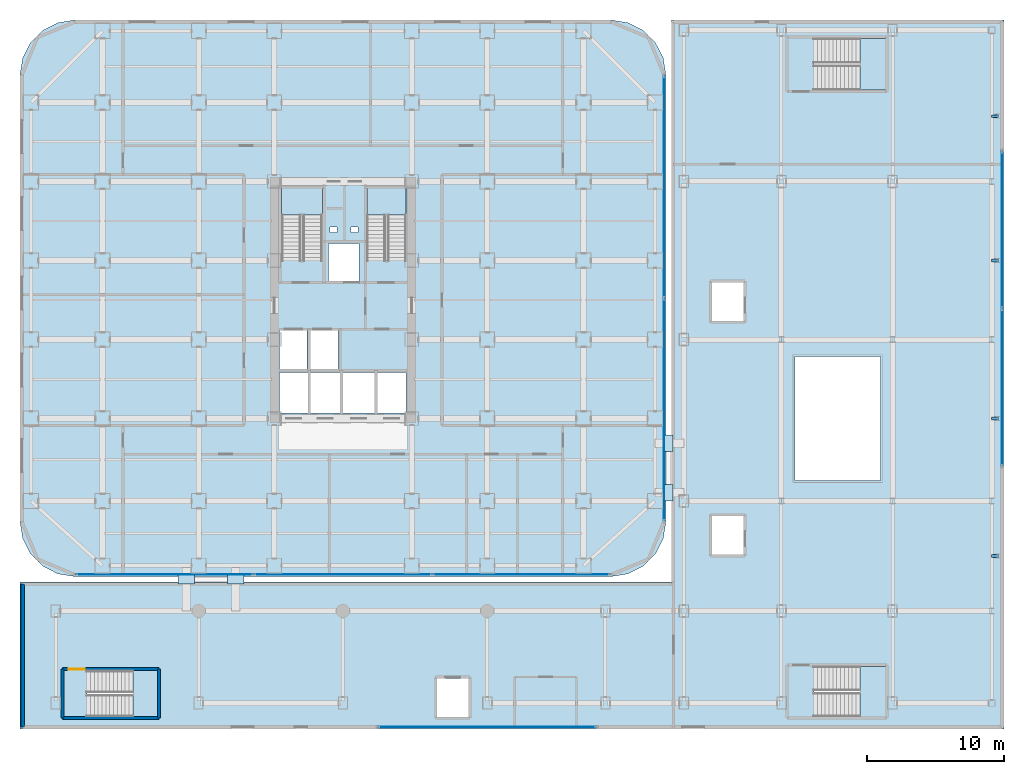
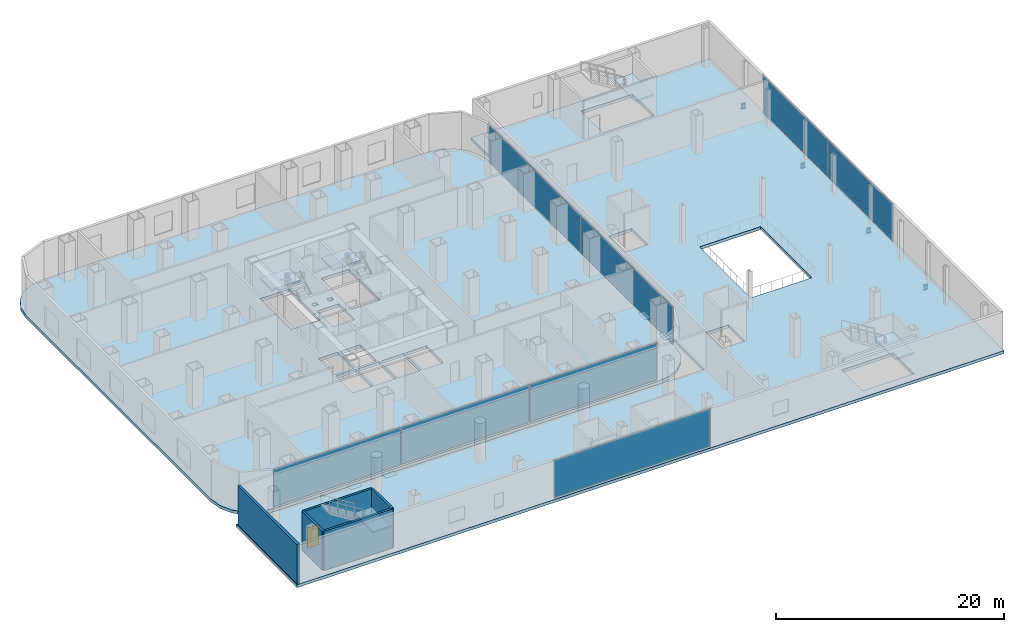
# One storey, part 18 of 26: 12 plates, 7 slabs, 5 walls, 4 beams, 1 door, 1 opening, 9 elements without a shape of their own.
"""IFC4 building model written with IfcOpenShell, lengths in metres."""

from ifc_helpers import new_model, si_unit, direction, frame, frame_2d, origin, origin_2d, place, context, subcontext, project, spatial, polyline, rectangle, i_section, outline, extrude, source, transform, mapped, material, layer, layer_set, material_profile, profile_set, type_object, element, fill, aggregate, save


model = new_model("IFC4")

# Units and contexts
model_context = context("Model", 3, precision=1e-05, world=origin(), true_north=direction((0.0, 1.0)))
body_context = subcontext(model_context, "Body", "Model", "MODEL_VIEW")
ifc_project = project(units=[si_unit("LENGTHUNIT", "METRE"), si_unit("AREAUNIT", "SQUARE_METRE"), si_unit("VOLUMEUNIT", "CUBIC_METRE"), si_unit("PLANEANGLEUNIT", "RADIAN"), si_unit("MASSUNIT", "GRAM", prefix="KILO")], contexts=[model_context])

# Site, building, storey
site_placement = place(None, origin())
site = spatial("IfcSite", under=ifc_project, at=site_placement, CompositionType="ELEMENT")
building_placement = place(site_placement, origin())
building = spatial("IfcBuilding", under=site, at=building_placement, Name="Kolveth Station Tower", CompositionType="ELEMENT")
storey_placement = place(building_placement, frame((0.0, 0.0, 4.5)))
storey = spatial("IfcBuildingStorey", under=building, at=storey_placement, Name="L01", CompositionType="ELEMENT", Elevation=4.5)

# Beams
ifc_material_1 = material(Name="Steel S355", Category="steel")
ifc_material_profile = material_profile(ifc_material_1, i_section(OverallWidth=0.2099609375, OverallDepth=0.537109375, WebThickness=0.010986328125, FlangeThickness=0.017333984375, at=origin_2d()), Name="W530x101")
ifc_profile_set = profile_set([ifc_material_profile], Name="Steel S355")
beam_type = type_object("IfcBeamType", Name="Beam_B6", PredefinedType="BEAM", material=ifc_profile_set)
shared_shape_1 = source(origin(), body_context, "Body", "SweptSolid", [
    extrude(i_section(OverallWidth=0.2099609375, OverallDepth=0.537109375, WebThickness=0.010986328125, FlangeThickness=0.017333984375, at=origin_2d()), origin(), (0.0, 0.0, 1.0), 0.449951171875),
])
for number, where, z_axis, x_axis, name in (
    (1, (70.699951171875, 1.5, -0.58837890625), (1.0, 0.0, 0.0), (0.0, 1.0, 0.0), "L01 Pilaster Tie Beam SBM-L01-SPL-1"),
    (2, (70.699951171875, 11.5, -0.58837890625), (1.0, 0.0, 0.0), (0.0, 1.0, 0.0), "L01 Pilaster Tie Beam SBM-L01-SPL-2"),
    (3, (70.699951171875, 23.0, -0.58837890625), (1.0, 0.0, 0.0), (0.0, 1.0, 0.0), "L01 Pilaster Tie Beam SBM-L01-SPL-3"),
    (4, (70.699951171875, 33.5, -0.58837890625), (1.0, 0.0, 0.0), (0.0, 1.0, 0.0), "L01 Pilaster Tie Beam SBM-L01-SPL-4"),
):
    element("IfcBeam", number, at=place(storey_placement, frame(where, z_axis=z_axis, x_axis=x_axis)), inside=storey, type_object=beam_type, Name=name, PredefinedType="BEAM", context=body_context, shape_type="MappedRepresentation", body=[
        mapped(shared_shape_1, transform((0.0, 0.0, 0.0), x_axis=(1.0, 0.0, 0.0), y_axis=(0.0, 1.0, 0.0), z_axis=(0.0, 0.0, 1.0), scale=1.0)),
    ])

# Slabs
ifc_material_2 = material(Name="Concrete C50/60", Category="concrete")
ifc_layer_1 = layer(ifc_material_2, 0.320068359375)
ifc_layer_set_1 = layer_set([ifc_layer_1], Name="Concrete C50/60")
slab_type_1 = type_object("IfcSlabType", Name="Slab_SF-320", PredefinedType="FLOOR", material=ifc_layer_set_1)
slab_1_placement = place(storey_placement, frame((0.0, 0.0, -0.320068359375)))
element("IfcSlab", 5, at=slab_1_placement, inside=storey, type_object=slab_type_1, Name="L01 Tower Structural Floor Slab", PredefinedType="FLOOR", context=body_context, shape_type="SweptSolid", body=[
    extrude(outline(polyline([(43.0, 0.0), (44.236083984375, 0.19580078125), (45.35107421875, 0.763916015625), (46.236083984375, 1.64892578125), (46.80419921875, 2.763916015625), (47.0, 4.0), (47.0, 36.5), (46.80419921875, 37.736083984375), (46.236083984375, 38.85107421875), (45.35107421875, 39.736083984375), (44.236083984375, 40.30419921875), (43.0, 40.5), (4.0, 40.5), (2.763916015625, 40.30419921875), (1.64892578125, 39.736083984375), (0.763916015625, 38.85107421875), (0.19580078125, 37.736083984375), (0.0, 36.5), (0.0, 4.0), (0.19580078125, 2.763916015625), (0.763916015625, 1.64892578125), (1.64892578125, 0.763916015625), (2.763916015625, 0.19580078125), (4.0, 0.0), (43.0, 0.0)]), holes=[polyline([(19.0400390625, 22.985107421875), (22.0, 22.985107421875), (22.0, 28.39990234375), (19.0400390625, 28.39990234375), (19.0400390625, 22.985107421875)]), polyline([(25.239990234375, 22.985107421875), (28.10009765625, 22.985107421875), (28.10009765625, 28.39990234375), (25.239990234375, 28.39990234375), (25.239990234375, 22.985107421875)]), polyline([(18.89990234375, 15.10009765625), (20.89990234375, 15.10009765625), (20.89990234375, 17.89990234375), (18.89990234375, 17.89990234375), (18.89990234375, 15.10009765625)]), polyline([(21.14990234375, 15.10009765625), (23.14990234375, 15.10009765625), (23.14990234375, 17.89990234375), (21.14990234375, 17.89990234375), (21.14990234375, 15.10009765625)]), polyline([(22.449951171875, 21.5), (24.64990234375, 21.5), (24.64990234375, 24.25), (22.449951171875, 24.25), (22.449951171875, 21.5)]), polyline([(18.89990234375, 11.89990234375), (20.949951171875, 11.89990234375), (20.949951171875, 14.85009765625), (18.89990234375, 14.85009765625), (18.89990234375, 11.89990234375)]), polyline([(21.14990234375, 11.89990234375), (23.300048828125, 11.89990234375), (23.300048828125, 14.85009765625), (21.14990234375, 14.85009765625), (21.14990234375, 11.89990234375)]), polyline([(23.5, 11.89990234375), (25.800048828125, 11.89990234375), (25.800048828125, 14.85009765625), (23.5, 14.85009765625), (23.5, 11.89990234375)]), polyline([(26.0, 11.89990234375), (28.10009765625, 11.89990234375), (28.10009765625, 14.85009765625), (26.0, 14.85009765625), (26.0, 11.89990234375)]), polyline([(22.550048828125, 25.050048828125), (23.050048828125, 25.050048828125), (23.050048828125, 25.449951171875), (22.550048828125, 25.449951171875), (22.550048828125, 25.050048828125)]), polyline([(24.10009765625, 25.050048828125), (24.60009765625, 25.050048828125), (24.60009765625, 25.449951171875), (24.10009765625, 25.449951171875), (24.10009765625, 25.050048828125)])]), origin(), (0.0, 0.0, 1.0), 0.320068359375),
])
slab_2_placement = place(storey_placement, frame((0.0, 0.0, -0.320068359375)))
element("IfcSlab", 6, at=slab_2_placement, inside=storey, type_object=slab_type_1, Name="L01 Intermodal Station Floor Slab", PredefinedType="FLOOR", context=body_context, shape_type="SweptSolid", body=[
    extrude(outline(polyline([(0.0, -11.10009765625), (71.60009765625, -11.10009765625), (71.60009765625, 40.5), (47.39990234375, 40.5), (47.39990234375, -0.39990234375), (0.0, -0.39990234375), (0.0, -11.10009765625)]), holes=[polyline([(57.784912109375, 35.39990234375), (63.0, 35.39990234375), (63.0, 39.159912109375), (57.784912109375, 39.159912109375), (57.784912109375, 35.39990234375)]), polyline([(57.784912109375, -10.199951171875), (63.0, -10.199951171875), (63.0, -6.5400390625), (57.784912109375, -6.5400390625), (57.784912109375, -10.199951171875)]), polyline([(4.885009765625, -10.199951171875), (10.0, -10.199951171875), (10.0, -6.840087890625), (4.885009765625, -6.840087890625), (4.885009765625, -10.199951171875)]), polyline([(50.35009765625, 1.60009765625), (52.64990234375, 1.60009765625), (52.64990234375, 4.39990234375), (50.35009765625, 4.39990234375), (50.35009765625, 1.60009765625)]), polyline([(50.35009765625, 18.60009765625), (52.64990234375, 18.60009765625), (52.64990234375, 21.39990234375), (50.35009765625, 21.39990234375), (50.35009765625, 18.60009765625)]), polyline([(30.35009765625, -10.199951171875), (32.64990234375, -10.199951171875), (32.64990234375, -7.39990234375), (30.35009765625, -7.39990234375), (30.35009765625, -10.199951171875)]), polyline([(56.39990234375, 7.0), (62.60009765625, 7.0), (62.60009765625, 16.0), (56.39990234375, 16.0), (56.39990234375, 7.0)])]), origin(), (0.0, 0.0, 1.0), 0.320068359375),
])

# Stair, slab
ifc_material_3 = material(Name="Concrete C40/50", Category="concrete")
stair_type_1 = type_object("IfcStairType", Name="Stair_ST2", PredefinedType="HALF_TURN_STAIR", material=ifc_material_3)
stair_1_placement = place(storey_placement, origin())
stair_1 = element("IfcStair", 7, at=stair_1_placement, inside=storey, type_object=stair_type_1, Name="L01 Tower Exit Stair ST2", PredefinedType="HALF_TURN_STAIR")
ifc_layer_2 = layer(ifc_material_3, 0.18994140625)
ifc_layer_set_2 = layer_set([ifc_layer_2], Name="Concrete C40/50")
slab_type_2 = type_object("IfcSlabType", Name="Slab_SL-190", PredefinedType="LANDING", material=ifc_layer_set_2)
slab_3_placement = place(storey_placement, frame((0.0, 0.0, 2.050048828125)))
slab_3 = element("IfcSlab", 8, at=slab_3_placement, type_object=slab_type_2, Name="ST2 landing 1", PredefinedType="LANDING", context=body_context, shape_type="SweptSolid", body=[
    extrude(outline(polyline([(28.10009765625, 26.31005859375), (28.10009765625, 28.39990234375), (25.239990234375, 28.39990234375), (25.239990234375, 26.31005859375), (28.10009765625, 26.31005859375)])), origin(), (0.0, 0.0, 1.0), 0.199951171875),
])
aggregate(stair_1, [slab_3])

stair_type_2 = type_object("IfcStairType", Name="Stair_ST5", PredefinedType="HALF_TURN_STAIR", material=ifc_material_3)
stair_2_placement = place(storey_placement, origin())
stair_2 = element("IfcStair", 9, at=stair_2_placement, inside=storey, type_object=stair_type_2, Name="L01 Station West Concourse Stair ST5", PredefinedType="HALF_TURN_STAIR")
slab_4_placement = place(storey_placement, frame((0.0, 0.0, 2.050048828125)))
slab_4 = element("IfcSlab", 10, at=slab_4_placement, type_object=slab_type_2, Name="ST5 landing 1", PredefinedType="LANDING", context=body_context, shape_type="SweptSolid", body=[
    extrude(outline(polyline([(8.2099609375, -10.199951171875), (10.0, -10.199951171875), (10.0, -6.840087890625), (8.2099609375, -6.840087890625), (8.2099609375, -10.199951171875)])), origin(), (0.0, 0.0, 1.0), 0.199951171875),
])
aggregate(stair_2, [slab_4])

stair_type_3 = type_object("IfcStairType", Name="Stair_ST1", PredefinedType="HALF_TURN_STAIR", material=ifc_material_3)
stair_3_placement = place(storey_placement, origin())
stair_3 = element("IfcStair", 11, at=stair_3_placement, inside=storey, type_object=stair_type_3, Name="L01 Tower Exit Stair ST1", PredefinedType="HALF_TURN_STAIR")
ifc_layer_3 = layer(ifc_material_3, 0.205078125)
ifc_layer_set_3 = layer_set([ifc_layer_3], Name="Concrete C40/50")
slab_type_3 = type_object("IfcSlabType", Name="Slab_SL-205", PredefinedType="LANDING", material=ifc_layer_set_3)
slab_5_placement = place(storey_placement, frame((0.0, 0.0, 2.050048828125)))
slab_5 = element("IfcSlab", 12, at=slab_5_placement, type_object=slab_type_3, Name="ST1 landing 1", PredefinedType="LANDING", context=body_context, shape_type="SweptSolid", body=[
    extrude(outline(polyline([(22.0, 26.31005859375), (22.0, 28.39990234375), (19.0400390625, 28.39990234375), (19.0400390625, 26.31005859375), (22.0, 26.31005859375)])), origin(), (0.0, 0.0, 1.0), 0.199951171875),
])
aggregate(stair_3, [slab_5])

stair_type_4 = type_object("IfcStairType", Name="Stair_ST3", PredefinedType="HALF_TURN_STAIR", material=ifc_material_3)
stair_4_placement = place(storey_placement, origin())
stair_4 = element("IfcStair", 13, at=stair_4_placement, inside=storey, type_object=stair_type_4, Name="L01 Station North Exit Stair ST3", PredefinedType="HALF_TURN_STAIR")
slab_6_placement = place(storey_placement, frame((0.0, 0.0, 2.050048828125)))
slab_6 = element("IfcSlab", 14, at=slab_6_placement, type_object=slab_type_3, Name="ST3 landing 1", PredefinedType="LANDING", context=body_context, shape_type="SweptSolid", body=[
    extrude(outline(polyline([(61.110107421875, 35.39990234375), (63.0, 35.39990234375), (63.0, 39.159912109375), (61.110107421875, 39.159912109375), (61.110107421875, 35.39990234375)])), origin(), (0.0, 0.0, 1.0), 0.199951171875),
])
aggregate(stair_4, [slab_6])

stair_type_5 = type_object("IfcStairType", Name="Stair_ST4", PredefinedType="HALF_TURN_STAIR", material=ifc_material_3)
stair_5_placement = place(storey_placement, origin())
stair_5 = element("IfcStair", 15, at=stair_5_placement, inside=storey, type_object=stair_type_5, Name="L01 Station South-East Exit Stair ST4", PredefinedType="HALF_TURN_STAIR")
slab_7_placement = place(storey_placement, frame((0.0, 0.0, 2.050048828125)))
slab_7 = element("IfcSlab", 16, at=slab_7_placement, type_object=slab_type_3, Name="ST4 landing 1", PredefinedType="LANDING", context=body_context, shape_type="SweptSolid", body=[
    extrude(outline(polyline([(61.110107421875, -10.199951171875), (63.0, -10.199951171875), (63.0, -6.5400390625), (61.110107421875, -6.5400390625), (61.110107421875, -10.199951171875)])), origin(), (0.0, 0.0, 1.0), 0.199951171875),
])
aggregate(stair_5, [slab_7])

# Plates
ifc_layer_4 = layer(ifc_material_1, 0.02001953125)
ifc_layer_set_4 = layer_set([ifc_layer_4], Name="Steel S355")
plate_type_1 = type_object("IfcPlateType", Name="Plate_JP1", PredefinedType="USERDEFINED", material=ifc_layer_set_4)
shared_shape_2 = source(origin(), body_context, "Body", "SweptSolid", [
    extrude(rectangle(XDim=1.199951171875, YDim=0.64990234375, at=origin_2d()), origin(), (0.0, 0.0, 1.0), 0.02001953125),
])
for number, where, z_axis, x_axis, name in (
    (17, (12.10009765625, -0.199951171875, -0.324951171875), (0.0, 0.0, 1.0), (1.0, 0.0, 0.0), "L01 Seismic Joint Flush Cover Plate 1.1"),
    (18, (15.699951171875, -0.199951171875, -0.324951171875), (0.0, 0.0, 1.0), (1.0, 0.0, 0.0), "L01 Seismic Joint Flush Cover Plate 1.2"),
    (19, (47.199951171875, 6.10009765625, -0.324951171875), (0.0, 0.0, 1.0), (0.0, 1.0, 0.0), "L01 Seismic Joint Flush Cover Plate 2.1"),
    (20, (47.199951171875, 9.699951171875, -0.324951171875), (0.0, 0.0, 1.0), (0.0, 1.0, 0.0), "L01 Seismic Joint Flush Cover Plate 2.2"),
):
    element("IfcPlate", number, at=place(storey_placement, frame(where, z_axis=z_axis, x_axis=x_axis)), inside=storey, type_object=plate_type_1, Name=name, ObjectType="BASE_PLATE", PredefinedType="USERDEFINED", context=body_context, shape_type="MappedRepresentation", body=[
        mapped(shared_shape_2, transform((0.0, 0.0, 0.0), x_axis=(1.0, 0.0, 0.0), y_axis=(0.0, 1.0, 0.0), z_axis=(0.0, 0.0, 1.0), scale=1.0)),
    ])

# Curtain wall, plates
ifc_material_4 = material(Name="Black anodized aluminium 6063-T6 and clear station glass", Category="aluminium")
ifc_layer_5 = layer(ifc_material_4, 0.239990234375)
ifc_layer_set_5 = layer_set([ifc_layer_5], Name="Black anodized aluminium 6063-T6 and clear station glass")
curtain_wall_type = type_object("IfcCurtainWallType", Name="CurtainWall_CW-ST", PredefinedType="NOTDEFINED", material=ifc_layer_set_5)
curtain_wall_1_placement = place(storey_placement, origin())
curtain_wall_1 = element("IfcCurtainWall", 21, at=curtain_wall_1_placement, inside=storey, type_object=curtain_wall_type, Name="L01 Tower Podium South Storefront Curtain Wall", PredefinedType="NOTDEFINED")
ifc_material_5 = material(Name="Architectural low-E dark glass", Category="glass")
ifc_layer_6 = layer(ifc_material_5, 0.031982421875)
ifc_layer_set_6 = layer_set([ifc_layer_6], Name="Architectural low-E dark glass")
plate_type_2 = type_object("IfcPlateType", Name="Panel_GL-ST", PredefinedType="CURTAIN_PANEL", material=ifc_layer_set_6)
shared_shape_3 = source(origin(), body_context, "Body", "SweptSolid", [
    extrude(rectangle(XDim=12.864013671875, YDim=0.031982421875, at=origin_2d()), origin(), (0.0, 0.0, 1.0), 4.00390625),
])
plate_1_placement = place(storey_placement, frame((10.52490234375, 0.139892578125, 0.088134765625), z_axis=(0.0, 0.0, 1.0), x_axis=(1.0, 0.0, 0.0)))
plate_1 = element("IfcPlate", 22, at=plate_1_placement, type_object=plate_type_2, Name="CW-ST panel 1.1", PredefinedType="CURTAIN_PANEL", context=body_context, shape_type="MappedRepresentation", body=[
    mapped(shared_shape_3, transform((0.0, 0.0, 0.0), x_axis=(1.0, 0.0, 0.0), y_axis=(0.0, 1.0, 0.0), z_axis=(0.0, 0.0, 1.0), scale=1.0)),
])
plate_2_placement = place(storey_placement, frame((36.47509765625, 0.139892578125, 0.088134765625), z_axis=(0.0, 0.0, 1.0), x_axis=(1.0, 0.0, 0.0)))
plate_2 = element("IfcPlate", 23, at=plate_2_placement, type_object=plate_type_2, Name="CW-ST panel 3.1", PredefinedType="CURTAIN_PANEL", context=body_context, shape_type="MappedRepresentation", body=[
    mapped(shared_shape_3, transform((0.0, 0.0, 0.0), x_axis=(1.0, 0.0, 0.0), y_axis=(0.0, 1.0, 0.0), z_axis=(0.0, 0.0, 1.0), scale=1.0)),
])
shared_shape_4 = source(origin(), body_context, "Body", "SweptSolid", [
    extrude(rectangle(XDim=12.9140625, YDim=0.031982421875, at=origin_2d()), origin(), (0.0, 0.0, 1.0), 4.00390625),
])
plate_3_placement = place(storey_placement, frame((23.5, 0.139892578125, 0.088134765625), z_axis=(0.0, 0.0, 1.0), x_axis=(1.0, 0.0, 0.0)))
plate_3 = element("IfcPlate", 24, at=plate_3_placement, type_object=plate_type_2, Name="CW-ST panel 2.1", PredefinedType="CURTAIN_PANEL", context=body_context, shape_type="MappedRepresentation", body=[
    mapped(shared_shape_4, transform((0.0, 0.0, 0.0), x_axis=(1.0, 0.0, 0.0), y_axis=(0.0, 1.0, 0.0), z_axis=(0.0, 0.0, 1.0), scale=1.0)),
])
aggregate(curtain_wall_1, [plate_1, plate_3, plate_2])

curtain_wall_2_placement = place(storey_placement, origin())
curtain_wall_2 = element("IfcCurtainWall", 25, at=curtain_wall_2_placement, inside=storey, type_object=curtain_wall_type, Name="L01 Tower Podium East Storefront Curtain Wall", PredefinedType="NOTDEFINED")
shared_shape_5 = source(origin(), body_context, "Body", "SweptSolid", [
    extrude(rectangle(XDim=16.114013671875, YDim=0.031982421875, at=origin_2d()), origin(), (0.0, 0.0, 1.0), 4.00390625),
])
plate_4_placement = place(storey_placement, frame((46.860107421875, 12.14990234375, 0.088134765625), z_axis=(0.0, 0.0, 1.0), x_axis=(0.0, 1.0, 0.0)))
plate_4 = element("IfcPlate", 26, at=plate_4_placement, type_object=plate_type_2, Name="CW-ST panel 1.1", PredefinedType="CURTAIN_PANEL", context=body_context, shape_type="MappedRepresentation", body=[
    mapped(shared_shape_5, transform((0.0, 0.0, 0.0), x_axis=(1.0, 0.0, 0.0), y_axis=(0.0, 1.0, 0.0), z_axis=(0.0, 0.0, 1.0), scale=1.0)),
])
plate_5_placement = place(storey_placement, frame((46.860107421875, 28.35009765625, 0.088134765625), z_axis=(0.0, 0.0, 1.0), x_axis=(0.0, 1.0, 0.0)))
plate_5 = element("IfcPlate", 27, at=plate_5_placement, type_object=plate_type_2, Name="CW-ST panel 2.1", PredefinedType="CURTAIN_PANEL", context=body_context, shape_type="MappedRepresentation", body=[
    mapped(shared_shape_5, transform((0.0, 0.0, 0.0), x_axis=(1.0, 0.0, 0.0), y_axis=(0.0, 1.0, 0.0), z_axis=(0.0, 0.0, 1.0), scale=1.0)),
])
aggregate(curtain_wall_2, [plate_4, plate_5])

# Curtain wall, plate
curtain_wall_3_placement = place(storey_placement, origin())
curtain_wall_3 = element("IfcCurtainWall", 28, at=curtain_wall_3_placement, inside=storey, type_object=curtain_wall_type, Name="L01 Station South Concourse Curtain Wall", PredefinedType="NOTDEFINED")
shared_shape_6 = source(origin(), body_context, "Body", "SweptSolid", [
    extrude(rectangle(XDim=15.81396484375, YDim=0.031982421875, at=origin_2d()), origin(), (0.0, 0.0, 1.0), 4.00390625),
])
plate_6_placement = place(storey_placement, frame((34.0, -10.949951171875, 0.088134765625), z_axis=(0.0, 0.0, 1.0), x_axis=(1.0, 0.0, 0.0)))
plate_6 = element("IfcPlate", 29, at=plate_6_placement, type_object=plate_type_2, Name="CW-ST panel 1.1", PredefinedType="CURTAIN_PANEL", context=body_context, shape_type="MappedRepresentation", body=[
    mapped(shared_shape_6, transform((0.0, 0.0, 0.0), x_axis=(1.0, 0.0, 0.0), y_axis=(0.0, 1.0, 0.0), z_axis=(0.0, 0.0, 1.0), scale=1.0)),
])
aggregate(curtain_wall_3, [plate_6])

# Curtain wall, plates
curtain_wall_4_placement = place(storey_placement, origin())
curtain_wall_4 = element("IfcCurtainWall", 30, at=curtain_wall_4_placement, inside=storey, type_object=curtain_wall_type, Name="L01 Station East Main Hall Curtain Wall", PredefinedType="NOTDEFINED")
shared_shape_7 = source(origin(), body_context, "Body", "SweptSolid", [
    extrude(rectangle(XDim=11.364013671875, YDim=0.031982421875, at=origin_2d()), origin(), (0.0, 0.0, 1.0), 4.00390625),
])
plate_7_placement = place(storey_placement, frame((71.449951171875, 13.77490234375, 0.088134765625), z_axis=(0.0, 0.0, 1.0), x_axis=(0.0, 1.0, 0.0)))
plate_7 = element("IfcPlate", 31, at=plate_7_placement, type_object=plate_type_2, Name="CW-ST panel 1.1", PredefinedType="CURTAIN_PANEL", context=body_context, shape_type="MappedRepresentation", body=[
    mapped(shared_shape_7, transform((0.0, 0.0, 0.0), x_axis=(1.0, 0.0, 0.0), y_axis=(0.0, 1.0, 0.0), z_axis=(0.0, 0.0, 1.0), scale=1.0)),
])
plate_8_placement = place(storey_placement, frame((71.449951171875, 25.22509765625, 0.088134765625), z_axis=(0.0, 0.0, 1.0), x_axis=(0.0, 1.0, 0.0)))
plate_8 = element("IfcPlate", 32, at=plate_8_placement, type_object=plate_type_2, Name="CW-ST panel 2.1", PredefinedType="CURTAIN_PANEL", context=body_context, shape_type="MappedRepresentation", body=[
    mapped(shared_shape_7, transform((0.0, 0.0, 0.0), x_axis=(1.0, 0.0, 0.0), y_axis=(0.0, 1.0, 0.0), z_axis=(0.0, 0.0, 1.0), scale=1.0)),
])
aggregate(curtain_wall_4, [plate_7, plate_8])

# Walls
ifc_material_6 = material(Name="Precast concrete C40/50", Category="concrete")
ifc_layer_7 = layer(ifc_material_6, 0.239990234375)
ifc_layer_set_7 = layer_set([ifc_layer_7], Name="Precast concrete C40/50")
wall_type_1 = type_object("IfcWallType", Name="Wall_EW-240", PredefinedType="SOLIDWALL", material=ifc_layer_set_7)
wall_1_placement = place(storey_placement, frame((0.199951171875, -10.949951171875, 0.0), z_axis=(0.0, 0.0, 1.0), x_axis=(0.0, 1.0, 0.0)))
element("IfcWall", 33, at=wall_1_placement, inside=storey, type_object=wall_type_1, Name="L01 Station Exterior Wall W1", PredefinedType="SOLIDWALL", context=body_context, shape_type="SweptSolid", body=[
    extrude(rectangle(XDim=10.409912109375, YDim=0.239990234375, at=frame_2d((5.205078125, 0.0))), origin(), (0.0, 0.0, 1.0), 4.179931640625),
])
ifc_layer_8 = layer(ifc_material_3, 0.219970703125)
ifc_layer_set_8 = layer_set([ifc_layer_8], Name="Concrete C40/50")
wall_type_2 = type_object("IfcWallType", Name="Wall_IW-220", PredefinedType="SOLIDWALL", material=ifc_layer_set_8)
wall_2_placement = place(storey_placement, frame((3.10009765625, -10.300048828125, 0.0), z_axis=(0.0, 0.0, 1.0), x_axis=(1.0, 0.0, 0.0)))
element("IfcWall", 34, at=wall_2_placement, inside=storey, type_object=wall_type_2, Name="L01 Stair Shaft Wall WL-L01-ST5-S", PredefinedType="SOLIDWALL", context=body_context, shape_type="SweptSolid", body=[
    extrude(rectangle(XDim=7.0, YDim=0.219970703125, at=frame_2d((3.5, 0.0))), origin(), (0.0, 0.0, 1.0), 4.179931640625),
])

# Wall, opening, door
wall_3_placement = place(storey_placement, frame((3.10009765625, -6.739990234375, 0.0), z_axis=(0.0, 0.0, 1.0), x_axis=(1.0, 0.0, 0.0)))
wall_3 = element("IfcWall", 35, at=wall_3_placement, inside=storey, type_object=wall_type_2, Name="L01 Stair Shaft Wall WL-L01-ST5-N", PredefinedType="SOLIDWALL", context=body_context, shape_type="SweptSolid", body=[
    extrude(rectangle(XDim=7.0, YDim=0.219970703125, at=frame_2d((3.5, 0.0))), origin(), (0.0, 0.0, 1.0), 4.179931640625),
])
opening_placement = place(wall_3_placement, frame((0.449951171875, 0.0, 0.0)))
opening = element("IfcOpeningElement", 36, at=opening_placement, cuts=wall_3, Name="Opening FD1", PredefinedType="OPENING", context=body_context, shape_type="SweptSolid", body=[
    extrude(rectangle(XDim=1.14990234375, YDim=2.199951171875, at=frame_2d((0.574951171875, 1.10009765625))), frame((0.0, 0.119873046875, 0.0), z_axis=(0.0, -1.0, 0.0), x_axis=(1.0, 0.0, 0.0)), (0.0, 0.0, 1.0), 0.239990234375),
])
ifc_material_7 = material(Name="Fire-rated Steel S355 leaf and frame", Category="steel")
door_type = type_object("IfcDoorType", Name="Door_FD1", OperationType="NOTDEFINED", PredefinedType="DOOR", material=ifc_material_7)
door_placement = place(opening_placement, origin())
door = element("IfcDoor", 37, at=door_placement, inside=storey, type_object=door_type, Name="L01 Station Stair ST5 Door", OperationType="SINGLE_SWING_LEFT", OverallHeight=2.199951171875, OverallWidth=1.14990234375, PredefinedType="DOOR", context=body_context, shape_type="SweptSolid", body=[
    extrude(rectangle(XDim=1.14990234375, YDim=2.199951171875, at=frame_2d((0.574951171875, 1.10009765625))), frame((0.0, 0.02490234375, 0.0), z_axis=(0.0, -1.0, 0.0), x_axis=(1.0, 0.0, 0.0)), (0.0, 0.0, 1.0), 0.050048828125),
])
fill(opening, door)

# Walls
for number, where, z_axis, x_axis, name in (
    (38, (3.10009765625, -10.300048828125, 0.0), (0.0, 0.0, 1.0), (0.0, 1.0, 0.0), "L01 Stair Shaft Wall WL-L01-ST5-W"),
    (39, (10.10009765625, -10.300048828125, 0.0), (0.0, 0.0, 1.0), (0.0, 1.0, 0.0), "L01 Stair Shaft Wall WL-L01-ST5-E"),
):
    element("IfcWall", number, at=place(storey_placement, frame(where, z_axis=z_axis, x_axis=x_axis)), inside=storey, type_object=wall_type_2, Name=name, PredefinedType="SOLIDWALL", context=body_context, shape_type="SweptSolid", body=[
        extrude(rectangle(XDim=3.56005859375, YDim=0.219970703125, at=frame_2d((1.780029296875, 0.0))), origin(), (0.0, 0.0, 1.0), 4.179931640625),
    ])

save(model, "model.ifc")
